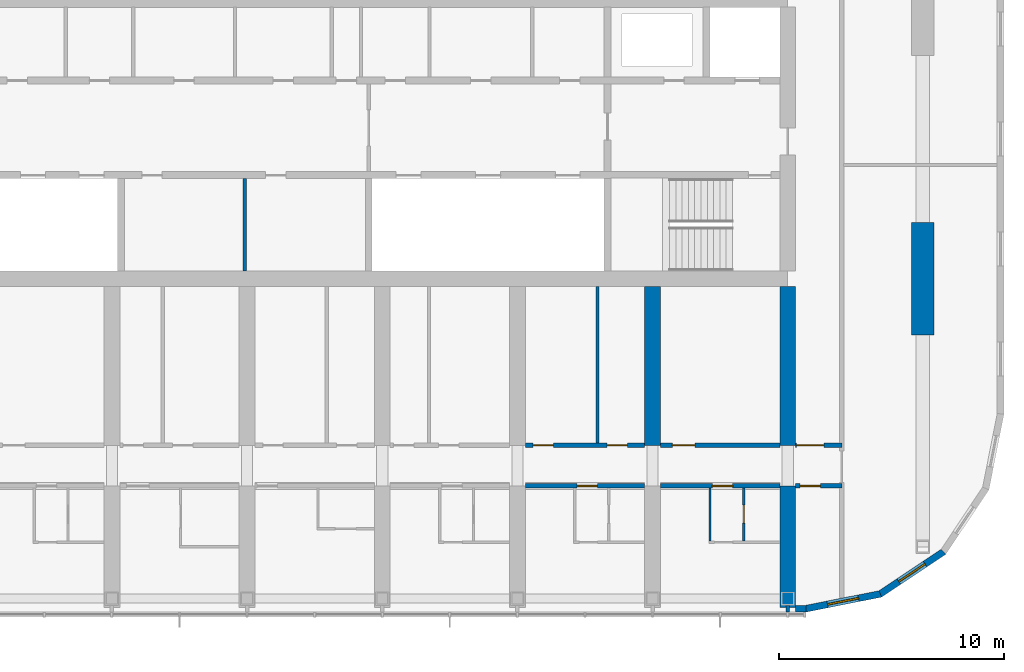
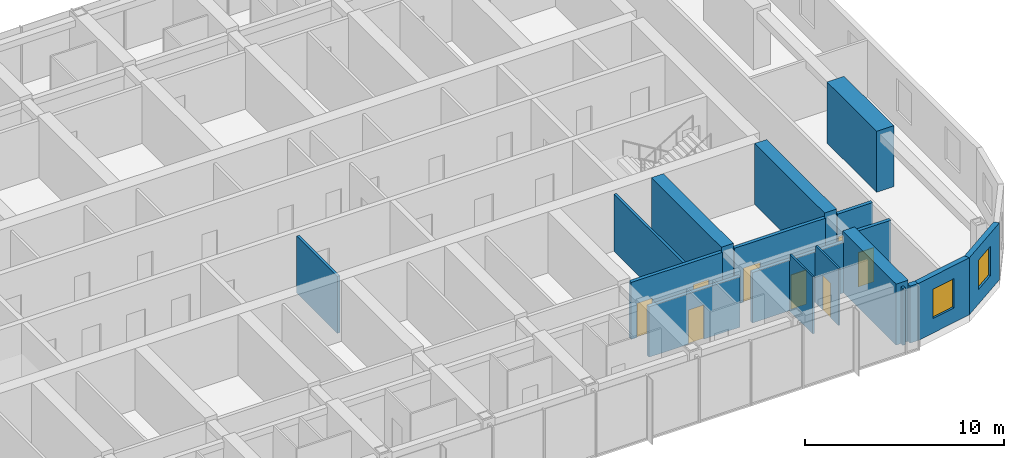
# One storey, part 15 of 27: 18 walls, 8 doors, 2 windows, 10 openings.
"""IFC4 building model written with IfcOpenShell, lengths in metres."""

from ifc_helpers import new_model, si_unit, direction, frame, frame_2d, origin, place, context, subcontext, project, spatial, polyline, rectangle, outline, extrude, material, layer, layer_set, type_object, element, fill, save


model = new_model("IFC4")

# Units and contexts
model_context = context("Model", 3, precision=1e-05, world=origin(), true_north=direction((0.0, 1.0)))
body_context = subcontext(model_context, "Body", "Model", "MODEL_VIEW")
ifc_project = project(units=[si_unit("LENGTHUNIT", "METRE"), si_unit("AREAUNIT", "SQUARE_METRE"), si_unit("VOLUMEUNIT", "CUBIC_METRE"), si_unit("PLANEANGLEUNIT", "RADIAN"), si_unit("MASSUNIT", "GRAM", prefix="KILO")], contexts=[model_context])

# Site, building, storey
site_placement = place(None, origin())
site = spatial("IfcSite", under=ifc_project, at=site_placement, CompositionType="ELEMENT")
building_placement = place(site_placement, origin())
building = spatial("IfcBuilding", under=site, at=building_placement, Name="Orbita Commons", CompositionType="ELEMENT")
storey_placement = place(building_placement, frame((0.0, 0.0, 246.550048828125)))
storey = spatial("IfcBuildingStorey", under=building, at=storey_placement, Name="L61", CompositionType="ELEMENT", Elevation=246.550048828125)

# Wall
ifc_material_1 = material(Name="Concrete blockwork", Category="masonry")
ifc_layer_1 = layer(ifc_material_1, 0.14990234375)
ifc_layer_set_1 = layer_set([ifc_layer_1], Name="Concrete blockwork")
wall_type_1 = type_object("IfcWallType", Name="Core partition 150 blockwork", PredefinedType="SOLIDWALL", material=ifc_layer_set_1)
wall_1_placement = place(storey_placement, frame((41.89990234375, 26.14990234375, 0.0), z_axis=(0.0, 0.0, 1.0), x_axis=(0.0, 1.0, 0.0)))
element("IfcWall", 1, at=wall_1_placement, inside=storey, type_object=wall_type_1, Name="Core partition 150 blockwork L61", PredefinedType="SOLIDWALL", context=body_context, shape_type="SweptSolid", body=[
    extrude(rectangle(XDim=4.10009765625, YDim=0.14990234375, at=frame_2d((2.050048828125, 0.0))), origin(), (0.0, 0.0, 1.0), 3.5),
])

# Wall, opening, door
ifc_material_2 = material(Name="Concrete blockwork", Category="masonry")
ifc_layer_2 = layer(ifc_material_2, 0.199951171875)
ifc_layer_set_2 = layer_set([ifc_layer_2], Name="Concrete blockwork")
wall_type_2 = type_object("IfcWallType", Name="Corridor wall 200 blockwork", PredefinedType="SOLIDWALL", material=ifc_layer_set_2)
wall_2_placement = place(storey_placement, frame((54.35009765625, 16.60009765625, 0.0), z_axis=(0.0, 0.0, 1.0), x_axis=(1.0, 0.0, 0.0)))
wall_2 = element("IfcWall", 2, at=wall_2_placement, inside=storey, type_object=wall_type_2, Name="Corridor wall 200 blockwork L61", PredefinedType="SOLIDWALL", context=body_context, shape_type="SweptSolid", body=[
    extrude(outline(polyline([(0.0, 0.0), (5.2998046875, 0.0), (5.300048828125, 3.099853515625), (0.0, 3.099853515625), (0.0, 0.0)])), frame((0.0, 0.10009765625, 0.0), z_axis=(0.0, -1.0, 0.0), x_axis=(1.0, 0.0, 0.0)), (0.0, 0.0, 1.0), 0.199951171875),
])
opening_1_placement = place(wall_2_placement, frame((2.300048828125, 0.0, 0.0)))
opening_1 = element("IfcOpeningElement", 3, at=opening_1_placement, cuts=wall_2, Name="Opening D11", PredefinedType="OPENING", context=body_context, shape_type="SweptSolid", body=[
    extrude(rectangle(XDim=0.89990234375, YDim=2.10009765625, at=frame_2d((0.449951171875, 1.050048828125))), frame((0.0, 0.10986328125, 0.0), z_axis=(0.0, -1.0, 0.0), x_axis=(1.0, 0.0, 0.0)), (0.0, 0.0, 1.0), 0.219970703125),
])
ifc_material_3 = material(Name="Steel-faced fire door leaf", Category="steel")
door_type_1 = type_object("IfcDoorType", Name="Corridor door 20 min 900x2100", OperationType="SINGLE_SWING_LEFT", PredefinedType="DOOR", material=ifc_material_3)
door_1_placement = place(opening_1_placement, origin())
door_1 = element("IfcDoor", 4, at=door_1_placement, inside=storey, type_object=door_type_1, Name="Studio flat L61-S12 entrance door", OperationType="SINGLE_SWING_LEFT", OverallHeight=2.10009765625, OverallWidth=0.89990234375, PredefinedType="DOOR", context=body_context, shape_type="SweptSolid", body=[
    extrude(rectangle(XDim=0.89990234375, YDim=2.10009765625, at=frame_2d((0.449951171875, 1.050048828125))), frame((0.0, 0.02490234375, 0.0), z_axis=(0.0, -1.0, 0.0), x_axis=(1.0, 0.0, 0.0)), (0.0, 0.0, 1.0), 0.050048828125),
])
fill(opening_1, door_1)

wall_3_placement = place(storey_placement, frame((60.35009765625, 16.60009765625, 0.0), z_axis=(0.0, 0.0, 1.0), x_axis=(1.0, 0.0, 0.0)))
wall_3 = element("IfcWall", 5, at=wall_3_placement, inside=storey, type_object=wall_type_2, Name="Corridor wall 200 blockwork L61", PredefinedType="SOLIDWALL", context=body_context, shape_type="SweptSolid", body=[
    extrude(outline(polyline([(0.0, 0.0), (5.2998046875, 0.0), (5.300048828125, 3.099853515625), (0.0, 3.099853515625), (0.0, 0.0)])), frame((0.0, 0.10009765625, 0.0), z_axis=(0.0, -1.0, 0.0), x_axis=(1.0, 0.0, 0.0)), (0.0, 0.0, 1.0), 0.199951171875),
])
opening_2_placement = place(wall_3_placement, frame((2.300048828125, 0.0, 0.0)))
opening_2 = element("IfcOpeningElement", 6, at=opening_2_placement, cuts=wall_3, Name="Opening D11", PredefinedType="OPENING", context=body_context, shape_type="SweptSolid", body=[
    extrude(rectangle(XDim=0.89990234375, YDim=2.10009765625, at=frame_2d((0.449951171875, 1.050048828125))), frame((0.0, 0.10986328125, 0.0), z_axis=(0.0, -1.0, 0.0), x_axis=(1.0, 0.0, 0.0)), (0.0, 0.0, 1.0), 0.219970703125),
])
door_2_placement = place(opening_2_placement, origin())
door_2 = element("IfcDoor", 7, at=door_2_placement, inside=storey, type_object=door_type_1, Name="Studio flat L61-S14 entrance door", OperationType="SINGLE_SWING_LEFT", OverallHeight=2.10009765625, OverallWidth=0.89990234375, PredefinedType="DOOR", context=body_context, shape_type="SweptSolid", body=[
    extrude(rectangle(XDim=0.89990234375, YDim=2.10009765625, at=frame_2d((0.449951171875, 1.050048828125))), frame((0.0, 0.02490234375, 0.0), z_axis=(0.0, -1.0, 0.0), x_axis=(1.0, 0.0, 0.0)), (0.0, 0.0, 1.0), 0.050048828125),
])
fill(opening_2, door_2)

wall_4_placement = place(storey_placement, frame((66.35009765625, 16.60009765625, 0.0), z_axis=(0.0, 0.0, 1.0), x_axis=(1.0, 0.0, 0.0)))
wall_4 = element("IfcWall", 8, at=wall_4_placement, inside=storey, type_object=wall_type_2, Name="Corridor wall 200 blockwork L61", PredefinedType="SOLIDWALL", context=body_context, shape_type="SweptSolid", body=[
    extrude(rectangle(XDim=2.0498046875, YDim=0.199951171875, at=frame_2d((1.02490234375, 0.0))), origin(), (0.0, 0.0, 1.0), 3.5),
])
opening_3_placement = place(wall_4_placement, frame((0.199951171875, 0.0, 0.0)))
opening_3 = element("IfcOpeningElement", 9, at=opening_3_placement, cuts=wall_4, Name="Opening D05", PredefinedType="OPENING", context=body_context, shape_type="SweptSolid", body=[
    extrude(rectangle(XDim=0.89990234375, YDim=2.10009765625, at=frame_2d((0.449951171875, 1.050048828125))), frame((0.0, 0.10986328125, 0.0), z_axis=(0.0, -1.0, 0.0), x_axis=(1.0, 0.0, 0.0)), (0.0, 0.0, 1.0), 0.219970703125),
])
ifc_material_4 = material(Name="Steel-faced fire door leaf", Category="steel")
door_type_2 = type_object("IfcDoorType", Name="Service door 20 min 900x2100", OperationType="SINGLE_SWING_LEFT", PredefinedType="DOOR", material=ifc_material_4)
door_3_placement = place(opening_3_placement, origin())
door_3 = element("IfcDoor", 10, at=door_3_placement, inside=storey, type_object=door_type_2, Name="Linen store L61-KES door", OperationType="SINGLE_SWING_LEFT", OverallHeight=2.10009765625, OverallWidth=0.89990234375, PredefinedType="DOOR", context=body_context, shape_type="SweptSolid", body=[
    extrude(rectangle(XDim=0.89990234375, YDim=2.10009765625, at=frame_2d((0.449951171875, 1.050048828125))), frame((0.0, 0.02490234375, 0.0), z_axis=(0.0, -1.0, 0.0), x_axis=(1.0, 0.0, 0.0)), (0.0, 0.0, 1.0), 0.050048828125),
])
fill(opening_3, door_3)

# Wall, openings, doors
ifc_material_5 = material(Name="Hollow concrete block 200", Category="concrete")
ifc_layer_3 = layer(ifc_material_5, 0.199951171875)
ifc_layer_set_3 = layer_set([ifc_layer_3], Name="Hollow concrete block 200")
wall_type_3 = type_object("IfcWallType", Name="Corridor wall 200 hollow concrete block", PredefinedType="SOLIDWALL", material=ifc_layer_set_3)
wall_5_placement = place(storey_placement, frame((54.35009765625, 18.39990234375, 0.0), z_axis=(0.0, 0.0, 1.0), x_axis=(1.0, 0.0, 0.0)))
wall_5 = element("IfcWall", 11, at=wall_5_placement, inside=storey, type_object=wall_type_3, Name="Corridor wall 200 hollow concrete block L61", PredefinedType="SOLIDWALL", context=body_context, shape_type="SweptSolid", body=[
    extrude(rectangle(XDim=5.2998046875, YDim=0.199951171875, at=frame_2d((2.64990234375, 0.0))), origin(), (0.0, 0.0, 1.0), 3.5),
])
opening_4_placement = place(wall_5_placement, frame((0.35009765625, 0.0, 0.0)))
opening_4 = element("IfcOpeningElement", 12, at=opening_4_placement, cuts=wall_5, Name="Opening D11", PredefinedType="OPENING", context=body_context, shape_type="SweptSolid", body=[
    extrude(rectangle(XDim=0.89990234375, YDim=2.10009765625, at=frame_2d((0.449951171875, 1.050048828125))), frame((0.0, 0.10986328125, 0.0), z_axis=(0.0, -1.0, 0.0), x_axis=(1.0, 0.0, 0.0)), (0.0, 0.0, 1.0), 0.219970703125),
])
opening_5_placement = place(wall_5_placement, frame((3.6298828125, 0.0, 0.0)))
opening_5 = element("IfcOpeningElement", 13, at=opening_5_placement, cuts=wall_5, Name="Opening D11", PredefinedType="OPENING", context=body_context, shape_type="SweptSolid", body=[
    extrude(rectangle(XDim=0.89990234375, YDim=2.10009765625, at=frame_2d((0.449951171875, 1.050048828125))), frame((0.0, 0.10986328125, 0.0), z_axis=(0.0, -1.0, 0.0), x_axis=(1.0, 0.0, 0.0)), (0.0, 0.0, 1.0), 0.219970703125),
])
door_4_placement = place(opening_4_placement, origin())
door_4 = element("IfcDoor", 14, at=door_4_placement, inside=storey, type_object=door_type_1, Name="Cleaners store L61-BDS54 door", OperationType="SINGLE_SWING_LEFT", OverallHeight=2.10009765625, OverallWidth=0.89990234375, PredefinedType="DOOR", context=body_context, shape_type="SweptSolid", body=[
    extrude(rectangle(XDim=0.89990234375, YDim=2.10009765625, at=frame_2d((0.449951171875, 1.050048828125))), frame((0.0, 0.02490234375, 0.0), z_axis=(0.0, -1.0, 0.0), x_axis=(1.0, 0.0, 0.0)), (0.0, 0.0, 1.0), 0.050048828125),
])
fill(opening_4, door_4)
door_5_placement = place(opening_5_placement, origin())
door_5 = element("IfcDoor", 15, at=door_5_placement, inside=storey, type_object=door_type_1, Name="Battery and UPS room L61-BDS54n door", OperationType="SINGLE_SWING_LEFT", OverallHeight=2.10009765625, OverallWidth=0.89990234375, PredefinedType="DOOR", context=body_context, shape_type="SweptSolid", body=[
    extrude(rectangle(XDim=0.89990234375, YDim=2.10009765625, at=frame_2d((0.449951171875, 1.050048828125))), frame((0.0, 0.02490234375, 0.0), z_axis=(0.0, -1.0, 0.0), x_axis=(1.0, 0.0, 0.0)), (0.0, 0.0, 1.0), 0.050048828125),
])
fill(opening_5, door_5)

# Wall, opening, door
wall_6_placement = place(storey_placement, frame((60.35009765625, 18.39990234375, 0.0), z_axis=(0.0, 0.0, 1.0), x_axis=(1.0, 0.0, 0.0)))
wall_6 = element("IfcWall", 16, at=wall_6_placement, inside=storey, type_object=wall_type_3, Name="Corridor wall 200 hollow concrete block L61", PredefinedType="SOLIDWALL", context=body_context, shape_type="SweptSolid", body=[
    extrude(rectangle(XDim=5.2998046875, YDim=0.199951171875, at=frame_2d((2.64990234375, 0.0))), origin(), (0.0, 0.0, 1.0), 3.5),
])
opening_6_placement = place(wall_6_placement, frame((0.52490234375, 0.0, 0.0)))
opening_6 = element("IfcOpeningElement", 17, at=opening_6_placement, cuts=wall_6, Name="Opening D06", PredefinedType="OPENING", context=body_context, shape_type="SweptSolid", body=[
    extrude(rectangle(XDim=1.0, YDim=2.10009765625, at=frame_2d((0.5, 1.050048828125))), frame((0.0, 0.10986328125, 0.0), z_axis=(0.0, -1.0, 0.0), x_axis=(1.0, 0.0, 0.0)), (0.0, 0.0, 1.0), 0.219970703125),
])
ifc_material_6 = material(Name="Steel-faced fire door leaf", Category="steel")
door_type_3 = type_object("IfcDoorType", Name="Corridor door 20 min 1000x2100", OperationType="SINGLE_SWING_LEFT", PredefinedType="DOOR", material=ifc_material_6)
door_6_placement = place(opening_6_placement, origin())
door_6 = element("IfcDoor", 18, at=door_6_placement, inside=storey, type_object=door_type_3, Name="Drying room L61-BDS60 door", OperationType="SINGLE_SWING_LEFT", OverallHeight=2.10009765625, OverallWidth=1.0, PredefinedType="DOOR", context=body_context, shape_type="SweptSolid", body=[
    extrude(rectangle(XDim=1.0, YDim=2.10009765625, at=frame_2d((0.5, 1.050048828125))), frame((0.0, 0.02490234375, 0.0), z_axis=(0.0, -1.0, 0.0), x_axis=(1.0, 0.0, 0.0)), (0.0, 0.0, 1.0), 0.050048828125),
])
fill(opening_6, door_6)

wall_7_placement = place(storey_placement, frame((66.35009765625, 18.39990234375, 0.0), z_axis=(0.0, 0.0, 1.0), x_axis=(1.0, 0.0, 0.0)))
wall_7 = element("IfcWall", 19, at=wall_7_placement, inside=storey, type_object=wall_type_3, Name="Corridor wall 200 hollow concrete block L61", PredefinedType="SOLIDWALL", context=body_context, shape_type="SweptSolid", body=[
    extrude(rectangle(XDim=2.0498046875, YDim=0.199951171875, at=frame_2d((1.02490234375, 0.0))), origin(), (0.0, 0.0, 1.0), 3.5),
])
opening_7_placement = place(wall_7_placement, frame((0.050048828125, 0.0, 0.0)))
opening_7 = element("IfcOpeningElement", 20, at=opening_7_placement, cuts=wall_7, Name="Opening D12", PredefinedType="OPENING", context=body_context, shape_type="SweptSolid", body=[
    extrude(rectangle(XDim=1.199951171875, YDim=2.10009765625, at=frame_2d((0.60009765625, 1.050048828125))), frame((0.0, 0.10986328125, 0.0), z_axis=(0.0, -1.0, 0.0), x_axis=(1.0, 0.0, 0.0)), (0.0, 0.0, 1.0), 0.219970703125),
])
ifc_material_7 = material(Name="Steel-faced fire door leaf", Category="steel")
door_type_4 = type_object("IfcDoorType", Name="Double corridor door 20 min 1200x2100", OperationType="DOUBLE_DOOR_SINGLE_SWING", PredefinedType="DOOR", material=ifc_material_7)
door_7_placement = place(opening_7_placement, origin())
door_7 = element("IfcDoor", 21, at=door_7_placement, inside=storey, type_object=door_type_4, Name="Cross corridor doors", OperationType="DOUBLE_DOOR_SINGLE_SWING", OverallHeight=2.10009765625, OverallWidth=1.199951171875, PredefinedType="DOOR", context=body_context, shape_type="SweptSolid", body=[
    extrude(rectangle(XDim=1.199951171875, YDim=2.10009765625, at=frame_2d((0.60009765625, 1.050048828125))), frame((0.0, 0.02490234375, 0.0), z_axis=(0.0, -1.0, 0.0), x_axis=(1.0, 0.0, 0.0)), (0.0, 0.0, 1.0), 0.050048828125),
])
fill(opening_7, door_7)

# Walls
ifc_material_8 = material(Name="Concrete C50/60", Category="concrete")
ifc_layer_4 = layer(ifc_material_8, 0.699951171875)
ifc_layer_set_4 = layer_set([ifc_layer_4], Name="Concrete C50/60")
wall_type_4 = type_object("IfcWallType", Name="Cross wall 700 C50/60", PredefinedType="SHEAR", material=ifc_layer_set_4)
wall_8_placement = place(storey_placement, frame((60.0, 18.39990234375, 0.0), z_axis=(0.0, 0.0, 1.0), x_axis=(0.0, 1.0, 0.0)))
element("IfcWall", 22, at=wall_8_placement, inside=storey, type_object=wall_type_4, Name="Cross wall 11 south inner L61", PredefinedType="SHEAR", context=body_context, shape_type="SweptSolid", body=[
    extrude(rectangle(XDim=7.050048828125, YDim=0.699951171875, at=frame_2d((3.52490234375, 0.0))), origin(), (0.0, 0.0, 1.0), 3.75),
])
wall_9_placement = place(storey_placement, frame((66.0, 11.199951171875, 0.0), z_axis=(0.0, 0.0, 1.0), x_axis=(0.0, 1.0, 0.0)))
element("IfcWall", 23, at=wall_9_placement, inside=storey, type_object=wall_type_4, Name="Cross wall 12 south outer L61", PredefinedType="SHEAR", context=body_context, shape_type="SweptSolid", body=[
    extrude(rectangle(XDim=5.400146484375, YDim=0.699951171875, at=frame_2d((2.7001953125, 0.0))), origin(), (0.0, 0.0, 1.0), 3.75),
])
wall_10_placement = place(storey_placement, frame((66.0, 18.39990234375, 0.0), z_axis=(0.0, 0.0, 1.0), x_axis=(0.0, 1.0, 0.0)))
element("IfcWall", 24, at=wall_10_placement, inside=storey, type_object=wall_type_4, Name="Cross wall 12 south inner L61", PredefinedType="SHEAR", context=body_context, shape_type="SweptSolid", body=[
    extrude(rectangle(XDim=7.050048828125, YDim=0.699951171875, at=frame_2d((3.52490234375, 0.0))), origin(), (0.0, 0.0, 1.0), 3.75),
])
ifc_material_9 = material(Name="Moisture-resistant plasterboard on steel studs", Category="steel")
ifc_layer_5 = layer(ifc_material_9, 0.10009765625)
ifc_layer_set_5 = layer_set([ifc_layer_5], Name="Moisture-resistant plasterboard on steel studs")
wall_type_5 = type_object("IfcWallType", Name="En-suite partition 100", PredefinedType="PARTITIONING", material=ifc_layer_set_5)
wall_11_placement = place(storey_placement, frame((62.550048828125, 14.14990234375, 0.0), z_axis=(0.0, 0.0, 1.0), x_axis=(0.0, 1.0, 0.0)))
element("IfcWall", 25, at=wall_11_placement, inside=storey, type_object=wall_type_5, Name="En-suite partition 100 L61", PredefinedType="PARTITIONING", context=body_context, shape_type="SweptSolid", body=[
    extrude(outline(polyline([(0.0, 0.0), (2.35009765625, 0.0), (2.35009765625, 3.099853515625), (2.302001953125, 3.099853515625), (2.300048828125, 3.5), (0.0, 3.5), (0.0, 0.0)])), frame((0.0, 0.050048828125, 0.0), z_axis=(0.0, -1.0, 0.0), x_axis=(1.0, 0.0, 0.0)), (0.0, 0.0, 1.0), 0.10009765625),
])

# Wall, opening, door
wall_12_placement = place(storey_placement, frame((64.050048828125, 14.14990234375, 0.0), z_axis=(0.0, 0.0, 1.0), x_axis=(0.0, 1.0, 0.0)))
wall_12 = element("IfcWall", 26, at=wall_12_placement, inside=storey, type_object=wall_type_5, Name="En-suite partition 100 L61", PredefinedType="PARTITIONING", context=body_context, shape_type="SweptSolid", body=[
    extrude(outline(polyline([(0.0, 0.0), (2.35009765625, 0.0), (2.35009765625, 3.099853515625), (2.302001953125, 3.099853515625), (2.300048828125, 3.5), (0.0, 3.5), (0.0, 0.0)])), frame((0.0, 0.050048828125, 0.0), z_axis=(0.0, -1.0, 0.0), x_axis=(1.0, 0.0, 0.0)), (0.0, 0.0, 1.0), 0.10009765625),
])
opening_8_placement = place(wall_12_placement, frame((0.800048828125, 0.0, 0.0)))
opening_8 = element("IfcOpeningElement", 27, at=opening_8_placement, cuts=wall_12, Name="Opening D16", PredefinedType="OPENING", context=body_context, shape_type="SweptSolid", body=[
    extrude(rectangle(XDim=0.800048828125, YDim=2.10009765625, at=frame_2d((0.39990234375, 1.050048828125))), frame((0.0, 0.06005859375, 0.0), z_axis=(0.0, -1.0, 0.0), x_axis=(1.0, 0.0, 0.0)), (0.0, 0.0, 1.0), 0.1201171875),
])
ifc_material_10 = material(Name="Laminated timber door leaf", Category="wood")
door_type_5 = type_object("IfcDoorType", Name="En-suite door 800x2100", OperationType="SINGLE_SWING_RIGHT", PredefinedType="DOOR", material=ifc_material_10)
door_8_placement = place(opening_8_placement, origin())
door_8 = element("IfcDoor", 28, at=door_8_placement, inside=storey, type_object=door_type_5, Name="Studio flat shower room L61-S14 door", OperationType="SINGLE_SWING_RIGHT", OverallHeight=2.10009765625, OverallWidth=0.800048828125, PredefinedType="DOOR", context=body_context, shape_type="SweptSolid", body=[
    extrude(rectangle(XDim=0.800048828125, YDim=2.10009765625, at=frame_2d((0.39990234375, 1.050048828125))), frame((0.0, 0.02490234375, 0.0), z_axis=(0.0, -1.0, 0.0), x_axis=(1.0, 0.0, 0.0)), (0.0, 0.0, 1.0), 0.050048828125),
])
fill(opening_8, door_8)

# Walls
ifc_material_11 = material(Name="Concrete C50/60", Category="concrete")
ifc_layer_6 = layer(ifc_material_11, 1.0)
ifc_layer_set_6 = layer_set([ifc_layer_6], Name="Concrete C50/60")
wall_type_6 = type_object("IfcWallType", Name="End pier 1000x5000 C50/60", PredefinedType="SHEAR", material=ifc_layer_set_6)
wall_13_placement = place(storey_placement, frame((72.0, 23.300048828125, 0.0), z_axis=(0.0, 0.0, 1.0), x_axis=(0.0, 1.0, 0.0)))
element("IfcWall", 29, at=wall_13_placement, inside=storey, type_object=wall_type_6, Name="End pier 13/C L61", PredefinedType="SHEAR", context=body_context, shape_type="SweptSolid", body=[
    extrude(rectangle(XDim=5.0, YDim=1.0, at=frame_2d((2.5, 0.0))), origin(), (0.0, 0.0, 1.0), 3.75),
])
ifc_material_12 = material(Name="Gypsum plasterboard on steel studs", Category="steel")
ifc_layer_7 = layer(ifc_material_12, 0.14990234375)
ifc_layer_set_7 = layer_set([ifc_layer_7], Name="Gypsum plasterboard on steel studs")
wall_type_7 = type_object("IfcWallType", Name="Partition 150 plasterboard", PredefinedType="PARTITIONING", material=ifc_layer_set_7)
wall_14_placement = place(storey_placement, frame((57.554931640625, 18.5, 0.0), z_axis=(0.0, 0.0, 1.0), x_axis=(0.0, 1.0, 0.0)))
element("IfcWall", 30, at=wall_14_placement, inside=storey, type_object=wall_type_7, Name="Partition 150 plasterboard L61", PredefinedType="PARTITIONING", context=body_context, shape_type="SweptSolid", body=[
    extrude(rectangle(XDim=6.949951171875, YDim=0.14990234375, at=frame_2d((3.47509765625, 0.0))), origin(), (0.0, 0.0, 1.0), 3.5),
])
wall_15_placement = place(storey_placement, frame((66.0, 11.300048828125, 0.0), z_axis=(0.0, 0.0, 1.0), x_axis=(0.0, -1.0, 0.0)))
element("IfcWall", 31, at=wall_15_placement, inside=storey, type_object=wall_type_7, Name="Partition 150 plasterboard L61", PredefinedType="PARTITIONING", context=body_context, shape_type="SweptSolid", body=[
    extrude(rectangle(XDim=0.2900390625, YDim=0.14990234375, at=frame_2d((0.14501953125, 0.0))), origin(), (0.0, 0.0, 1.0), 3.5),
])

# Wall, opening, window
ifc_material_13 = material(Name="Precast concrete C40/50, white board-marked finish", Category="concrete")
ifc_layer_8 = layer(ifc_material_13, 0.300048828125)
ifc_layer_set_8 = layer_set([ifc_layer_8], Name="Precast concrete C40/50, white board-marked finish")
wall_type_8 = type_object("IfcWallType", Name="Precast concrete end shield 300", PredefinedType="SOLIDWALL", material=ifc_layer_set_8)
wall_16_placement = place(storey_placement, frame((66.800048828125, 11.14990234375, 0.0), z_axis=(0.0, 0.0, 1.0), x_axis=(0.98078325777, 0.195100490205, 0.0)))
wall_16 = element("IfcWall", 32, at=wall_16_placement, inside=storey, type_object=wall_type_8, Name="End shield SE chord 1 L61", PredefinedType="SOLIDWALL", context=body_context, shape_type="SweptSolid", body=[
    extrude(outline(polyline([(-0.02978515625, -0.14990234375), (3.40478515625, -0.14990234375), (3.34521484375, 0.14990234375), (0.02978515625, 0.14990234375), (-0.02978515625, -0.14990234375)])), origin(), (0.0, 0.0, 1.0), 3.5),
])
opening_9_placement = place(wall_16_placement, frame((0.987548828125, 0.0, 0.89990234375)))
opening_9 = element("IfcOpeningElement", 33, at=opening_9_placement, cuts=wall_16, Name="Opening W02", PredefinedType="OPENING", context=body_context, shape_type="SweptSolid", body=[
    extrude(rectangle(XDim=1.39990234375, YDim=1.800048828125, at=frame_2d((0.699951171875, 0.89990234375))), frame((0.0, 0.159912109375, 0.0), z_axis=(0.0, -1.0, 0.0), x_axis=(1.0, 0.0, 0.0)), (0.0, 0.0, 1.0), 0.320068359375),
])
ifc_material_14 = material(Name="Aluminium frame, clear double glazing", Category="aluminium")
window_type = type_object("IfcWindowType", Name="Deep-set window 1400x1800", PartitioningType="SINGLE_PANEL", PredefinedType="WINDOW", material=ifc_material_14)
window_1_placement = place(opening_9_placement, origin())
window_1 = element("IfcWindow", 34, at=window_1_placement, inside=storey, type_object=window_type, Name="Window L61-SE0", OverallHeight=1.800048828125, OverallWidth=1.39990234375, PartitioningType="SINGLE_PANEL", PredefinedType="WINDOW", context=body_context, shape_type="SweptSolid", body=[
    extrude(rectangle(XDim=1.39990234375, YDim=1.800048828125, at=frame_2d((0.699951171875, 0.89990234375))), frame((0.0, 0.030029296875, 0.0), z_axis=(0.0, -1.0, 0.0), x_axis=(1.0, 0.0, 0.0)), (0.0, 0.0, 1.0), 0.06005859375),
])
fill(opening_9, window_1)

wall_17_placement = place(storey_placement, frame((70.110107421875, 11.808349609375, 0.0), z_axis=(0.0, 0.0, 1.0), x_axis=(0.831460037396, 0.555584562613, 0.0)))
wall_17 = element("IfcWall", 35, at=wall_17_placement, inside=storey, type_object=wall_type_8, Name="End shield SE chord 2 L61", PredefinedType="SOLIDWALL", context=body_context, shape_type="SweptSolid", body=[
    extrude(outline(polyline([(-0.02978515625, -0.14990234375), (3.405029296875, -0.14990234375), (3.345458984375, 0.14990234375), (0.02978515625, 0.14990234375), (-0.02978515625, -0.14990234375)])), origin(), (0.0, 0.0, 1.0), 3.5),
])
opening_10_placement = place(wall_17_placement, frame((0.987548828125, 0.0, 0.89990234375)))
opening_10 = element("IfcOpeningElement", 36, at=opening_10_placement, cuts=wall_17, Name="Opening W02", PredefinedType="OPENING", context=body_context, shape_type="SweptSolid", body=[
    extrude(rectangle(XDim=1.39990234375, YDim=1.800048828125, at=frame_2d((0.699951171875, 0.89990234375))), frame((0.0, 0.159912109375, 0.0), z_axis=(0.0, -1.0, 0.0), x_axis=(1.0, 0.0, 0.0)), (0.0, 0.0, 1.0), 0.320068359375),
])
window_2_placement = place(opening_10_placement, origin())
window_2 = element("IfcWindow", 37, at=window_2_placement, inside=storey, type_object=window_type, Name="Window L61-SE1", OverallHeight=1.800048828125, OverallWidth=1.39990234375, PartitioningType="SINGLE_PANEL", PredefinedType="WINDOW", context=body_context, shape_type="SweptSolid", body=[
    extrude(rectangle(XDim=1.39990234375, YDim=1.800048828125, at=frame_2d((0.699951171875, 0.89990234375))), frame((0.0, 0.030029296875, 0.0), z_axis=(0.0, -1.0, 0.0), x_axis=(1.0, 0.0, 0.0)), (0.0, 0.0, 1.0), 0.06005859375),
])
fill(opening_10, window_2)

# Wall
wall_18_placement = place(storey_placement, frame((66.800048828125, 11.14990234375, 0.0), z_axis=(0.0, 0.0, 1.0), x_axis=(-1.0, 0.0, 0.0)))
element("IfcWall", 38, at=wall_18_placement, inside=storey, type_object=wall_type_8, Name="End shield SE closer L61", PredefinedType="SOLIDWALL", context=body_context, shape_type="SweptSolid", body=[
    extrude(rectangle(XDim=0.449951171875, YDim=0.300048828125, at=frame_2d((0.22509765625, 0.0))), origin(), (0.0, 0.0, 1.0), 3.5),
])

save(model, "model.ifc")
